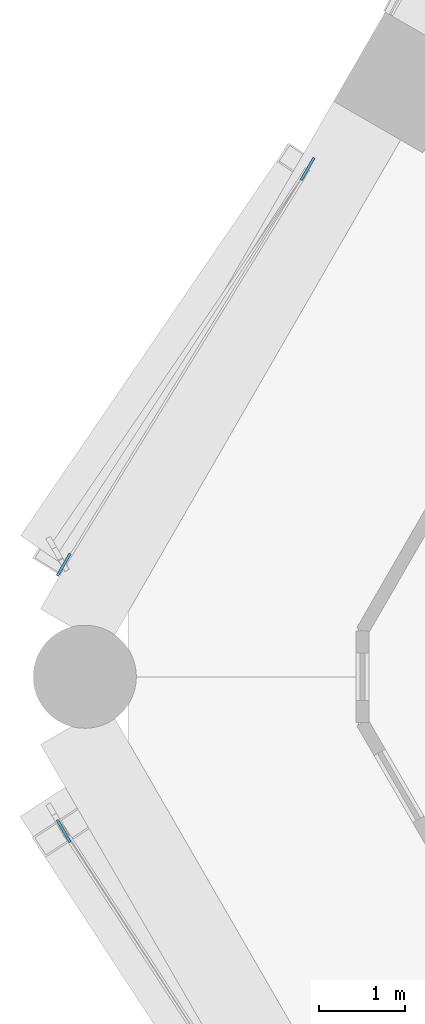
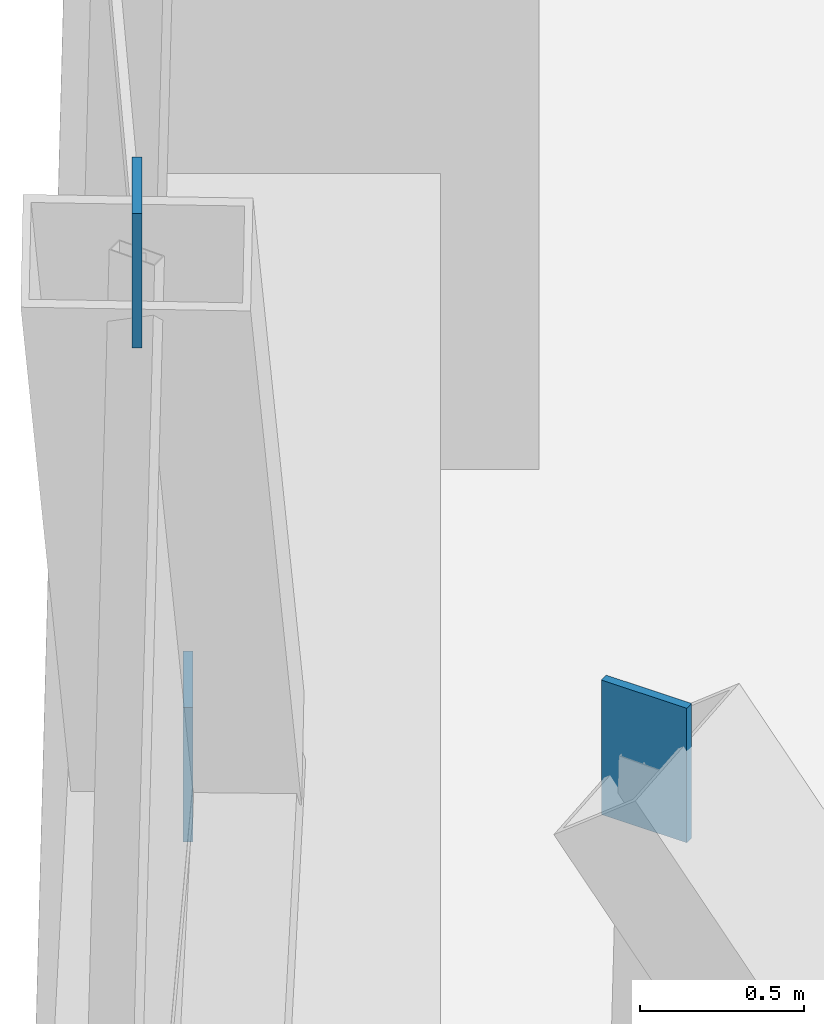
# One storey, part 15 of 17: 3 discrete accessories.
"""IFC4 building model written with IfcOpenShell, lengths in metres."""

from ifc_helpers import new_model, si_unit, direction, frame, origin, origin_2d, place, context, subcontext, project, spatial, rectangle, extrude, material, layer, layer_set, type_object, element, save


model = new_model("IFC4")

# Units and contexts
model_context = context("Model", 3, precision=1e-05, world=origin(), true_north=direction((0.0, 1.0)))
body_context = subcontext(model_context, "Body", "Model", "MODEL_VIEW")
ifc_project = project(units=[si_unit("LENGTHUNIT", "METRE"), si_unit("AREAUNIT", "SQUARE_METRE"), si_unit("VOLUMEUNIT", "CUBIC_METRE"), si_unit("PLANEANGLEUNIT", "RADIAN"), si_unit("MASSUNIT", "GRAM", prefix="KILO")], contexts=[model_context])

# Site, building, storey
site_placement = place(None, origin())
site = spatial("IfcSite", under=ifc_project, at=site_placement, CompositionType="ELEMENT")
building_placement = place(site_placement, origin())
building = spatial("IfcBuilding", under=site, at=building_placement, Name="Ostrander Bayou Hotel Tower", CompositionType="ELEMENT")
storey_placement = place(building_placement, frame((0.0, 0.0, 127.25)))
storey = spatial("IfcBuildingStorey", under=building, at=storey_placement, Name="L31", CompositionType="ELEMENT", Elevation=127.25)

# Discrete accessories
ifc_material = material(Name="Steel ASTM A572 Gr 50", Category="steel")
ifc_layer = layer(ifc_material, 0.030029296875)
ifc_layer_set = layer_set([ifc_layer], Name="GP1 gusset plate 30 mm")
discrete_accessory_type = type_object("IfcDiscreteAccessoryType", Name="GP1 gusset plate 30 mm", PredefinedType="BRACKET", material=ifc_layer_set)
for number, where, z_axis, x_axis, name in (
    (1, (-19.348388671875, 5.00390625, 4.77490234375), (0.0, 0.0, 1.0), (-0.5, -0.866025403784, 0.0), "GP1 gusset plate lat 192"),
    (2, (-22.188720703125, 0.39501953125, 10.39990234375), (0.0, 0.0, 1.0), (-0.5, -0.866025403784, 0.0), "GP1 gusset plate lat 193"),
    (3, (-22.188720703125, -2.7080078125, 10.39990234375), (0.0, 0.0, 1.0), (0.5, -0.866025403784, 0.0), "GP1 gusset plate lat 195"),
):
    element("IfcDiscreteAccessory", number, at=place(storey_placement, frame(where, z_axis=z_axis, x_axis=x_axis)), inside=storey, type_object=discrete_accessory_type, Name=name, PredefinedType="BRACKET", context=body_context, shape_type="SweptSolid", body=[
        extrude(rectangle(XDim=0.300048828125, YDim=0.030029296875, at=origin_2d()), origin(), (0.0, 0.0, 1.0), 0.5),
    ])

save(model, "model.ifc")
